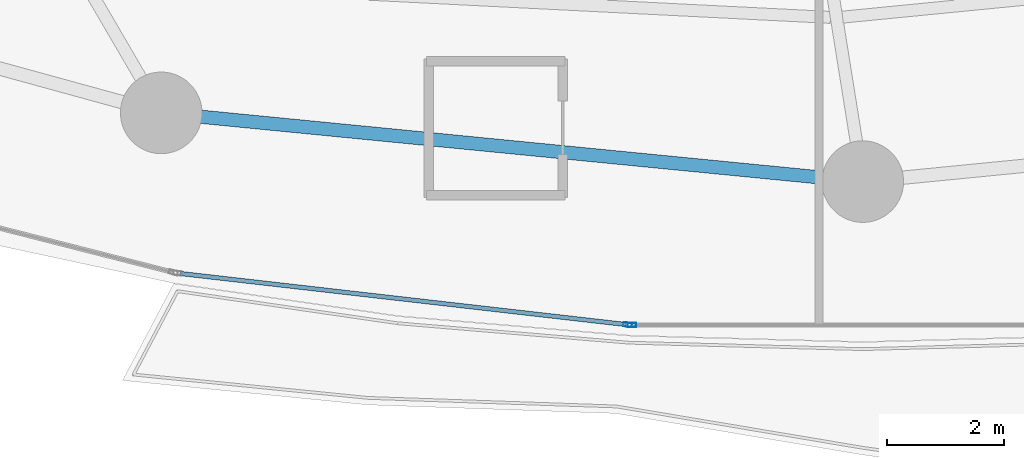
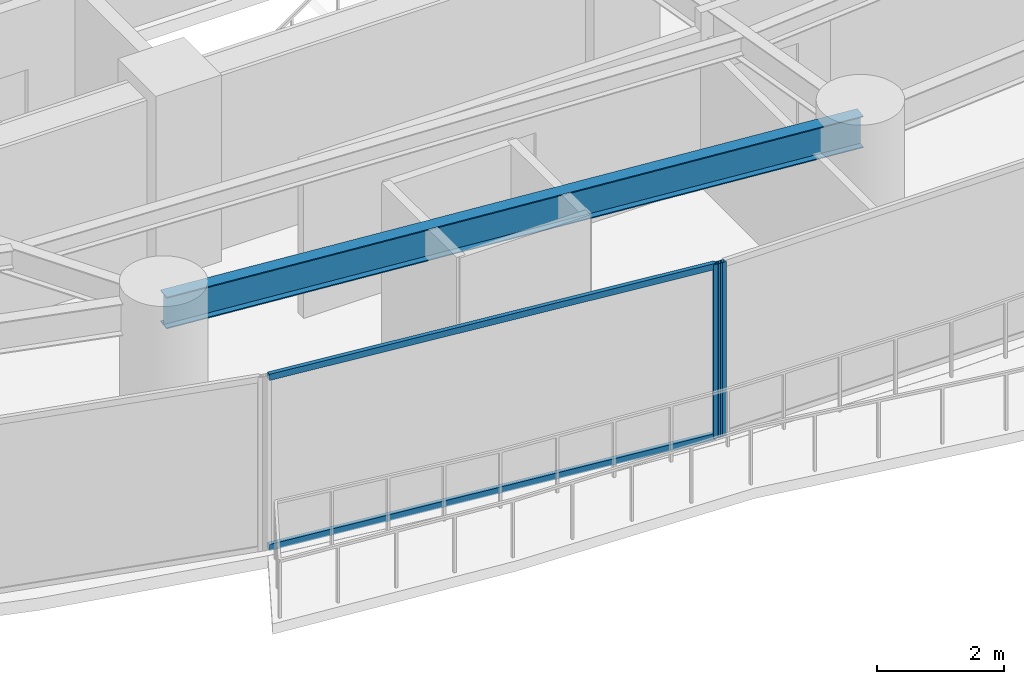
# One storey, part 6 of 33: 4 members, 1 beam, 2 elements without a shape of their own.
"""IFC4 building model written with IfcOpenShell, lengths in metres."""

from ifc_helpers import new_model, si_unit, direction, frame, origin, origin_2d, place, context, subcontext, project, spatial, hollow_rectangle, i_section, extrude, material, layer, layer_set, material_profile, profile_set, type_object, element, aggregate, save


model = new_model("IFC4")

# Units and contexts
model_context = context("Model", 3, precision=1e-05, world=origin(), true_north=direction((0.0, 1.0)))
body_context = subcontext(model_context, "Body", "Model", "MODEL_VIEW")
ifc_project = project(units=[si_unit("LENGTHUNIT", "METRE"), si_unit("AREAUNIT", "SQUARE_METRE"), si_unit("VOLUMEUNIT", "CUBIC_METRE"), si_unit("PLANEANGLEUNIT", "RADIAN"), si_unit("MASSUNIT", "GRAM", prefix="KILO")], contexts=[model_context])

# Site, building, storey
site_placement = place(None, origin())
site = spatial("IfcSite", under=ifc_project, at=site_placement, CompositionType="ELEMENT")
building_placement = place(site_placement, origin())
building = spatial("IfcBuilding", under=site, at=building_placement, Name="Kazevale Care Tower and Concert Hall", CompositionType="ELEMENT")
storey_placement = place(building_placement, frame((0.0, 0.0, 49.199951171875)))
storey = spatial("IfcBuildingStorey", under=building, at=storey_placement, Name="L12", CompositionType="ELEMENT", Elevation=49.199951171875)

# Curtain wall, member
ifc_material_1 = material(Name="Aluminium 6063-T6 and Low-E Glass", Category="aluminium")
ifc_layer = layer(ifc_material_1, 0.179931640625)
ifc_layer_set = layer_set([ifc_layer], Name="Aluminium 6063-T6 and Low-E Glass")
curtain_wall_type = type_object("IfcCurtainWallType", Name="Sheltered Concave Balcony Curtain Wall CW-5", PredefinedType="NOTDEFINED", material=ifc_layer_set)
curtain_wall_1_placement = place(storey_placement, origin())
curtain_wall_1 = element("IfcCurtainWall", 1, at=curtain_wall_1_placement, inside=storey, type_object=curtain_wall_type, Name="cw:L12:f06", PredefinedType="NOTDEFINED")
ifc_material_2 = material(Name="Aluminium 6063-T6", Category="aluminium")
ifc_material_profile_1 = material_profile(ifc_material_2, hollow_rectangle(XDim=0.074951171875, YDim=0.14990234375, WallThickness=0.00390625, at=origin_2d()), Name="ALU75x150x4")
ifc_profile_set_1 = profile_set([ifc_material_profile_1], Name="Aluminium 6063-T6")
member_type_1 = type_object("IfcMemberType", Name="CW-5 Mullion ALU75x150x4", PredefinedType="MULLION", material=ifc_profile_set_1)
member_1_placement = place(storey_placement, frame((41.03955078125, 14.889892578125, 0.0), z_axis=(0.0, 0.0, 1.0), x_axis=(0.0, -1.0, 0.0)))
member_1 = element("IfcMember", 2, at=member_1_placement, type_object=member_type_1, Name="CW-5 mullion 2", PredefinedType="MULLION", context=body_context, shape_type="SweptSolid", body=[
    extrude(hollow_rectangle(XDim=0.074951171875, YDim=0.14990234375, WallThickness=0.00390625, at=origin_2d()), origin(), (0.0, 0.0, 1.0), 3.360107421875),
])
aggregate(curtain_wall_1, [member_1])

# Curtain wall, members
curtain_wall_2_placement = place(storey_placement, origin())
curtain_wall_2 = element("IfcCurtainWall", 3, at=curtain_wall_2_placement, inside=storey, type_object=curtain_wall_type, Name="cw:L12:f07", PredefinedType="NOTDEFINED")
member_2_placement = place(storey_placement, frame((40.96484375, 14.894287109375, 0.0), z_axis=(0.0, 0.0, 1.0), x_axis=(-0.113704773808, -0.993514581883, 0.0)))
member_2 = element("IfcMember", 4, at=member_2_placement, type_object=member_type_1, Name="CW-5 mullion 1", PredefinedType="MULLION", context=body_context, shape_type="SweptSolid", body=[
    extrude(hollow_rectangle(XDim=0.074951171875, YDim=0.14990234375, WallThickness=0.00390625, at=origin_2d()), origin(), (0.0, 0.0, 1.0), 3.360107421875),
])
ifc_material_profile_2 = material_profile(ifc_material_2, hollow_rectangle(XDim=0.074951171875, YDim=0.1201171875, WallThickness=0.00390625, at=origin_2d()), Name="ALU75x120x4")
ifc_profile_set_2 = profile_set([ifc_material_profile_2], Name="Aluminium 6063-T6")
member_type_2 = type_object("IfcMemberType", Name="CW-5 Transom ALU75x120x4", PredefinedType="USERDEFINED", material=ifc_profile_set_2)
member_3_placement = place(storey_placement, frame((40.927490234375, 14.8984375, 0.03759765625), z_axis=(-0.993513842403, 0.113711234948, 0.0), x_axis=(-0.113711234948, -0.993513842403, 0.0)))
member_3 = element("IfcMember", 5, at=member_3_placement, type_object=member_type_2, Name="CW-5 transom 1.1", ObjectType="TRANSOM", PredefinedType="USERDEFINED", context=body_context, shape_type="SweptSolid", body=[
    extrude(hollow_rectangle(XDim=0.074951171875, YDim=0.1201171875, WallThickness=0.00390625, at=origin_2d()), origin(), (0.0, 0.0, 1.0), 7.69482421875),
])
member_4_placement = place(storey_placement, frame((40.927490234375, 14.8984375, 3.322509765625), z_axis=(-0.993513842403, 0.113711234948, 0.0), x_axis=(-0.113711234948, -0.993513842403, 0.0)))
member_4 = element("IfcMember", 6, at=member_4_placement, type_object=member_type_2, Name="CW-5 transom 1.2", ObjectType="TRANSOM", PredefinedType="USERDEFINED", context=body_context, shape_type="SweptSolid", body=[
    extrude(hollow_rectangle(XDim=0.074951171875, YDim=0.1201171875, WallThickness=0.00390625, at=origin_2d()), origin(), (0.0, 0.0, 1.0), 7.69482421875),
])
aggregate(curtain_wall_2, [member_2, member_3, member_4])

# Beam
ifc_material_3 = material(Name="Steel ASTM A572 Gr 50", Category="steel")
ifc_material_profile_3 = material_profile(ifc_material_3, i_section(OverallWidth=0.22900390625, OverallDepth=0.612060546875, WebThickness=0.011962890625, FlangeThickness=0.01953125, at=origin_2d()), Name="W610x125")
ifc_profile_set_3 = profile_set([ifc_material_profile_3], Name="Steel ASTM A572 Gr 50")
beam_type = type_object("IfcBeamType", Name="Ring Spandrel Beam W610x125", PredefinedType="SPANDREL", material=ifc_profile_set_3)
beam_placement = place(storey_placement, frame((32.9599609375, 18.530029296875, 3.053955078125), z_axis=(0.995232251602, -0.09753340644, 0.0), x_axis=(0.09753340644, 0.995232251602, 0.0)))
element("IfcBeam", 7, at=beam_placement, inside=storey, type_object=beam_type, Name="beam:L12:ring:12", PredefinedType="SPANDREL", context=body_context, shape_type="SweptSolid", body=[
    extrude(i_section(OverallWidth=0.22900390625, OverallDepth=0.612060546875, WebThickness=0.011962890625, FlangeThickness=0.01953125, at=origin_2d()), origin(), (0.0, 0.0, 1.0), 12.09765625),
])

save(model, "model.ifc")
